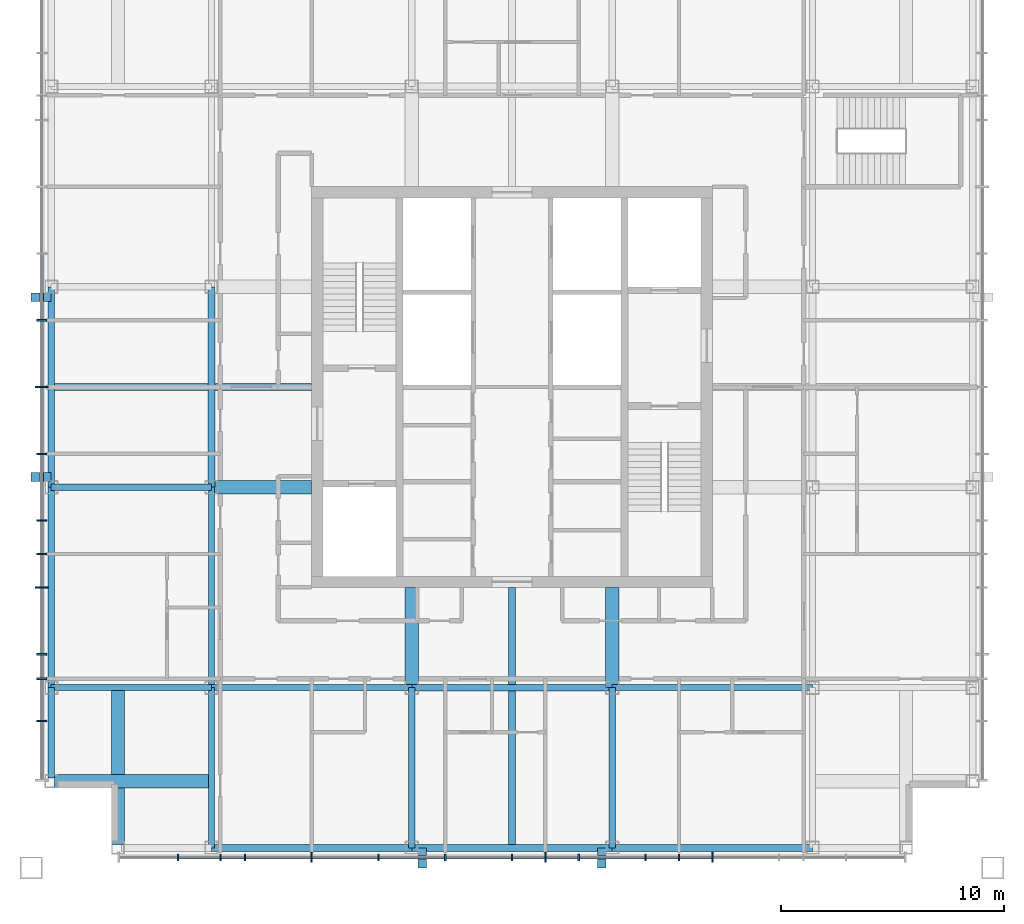
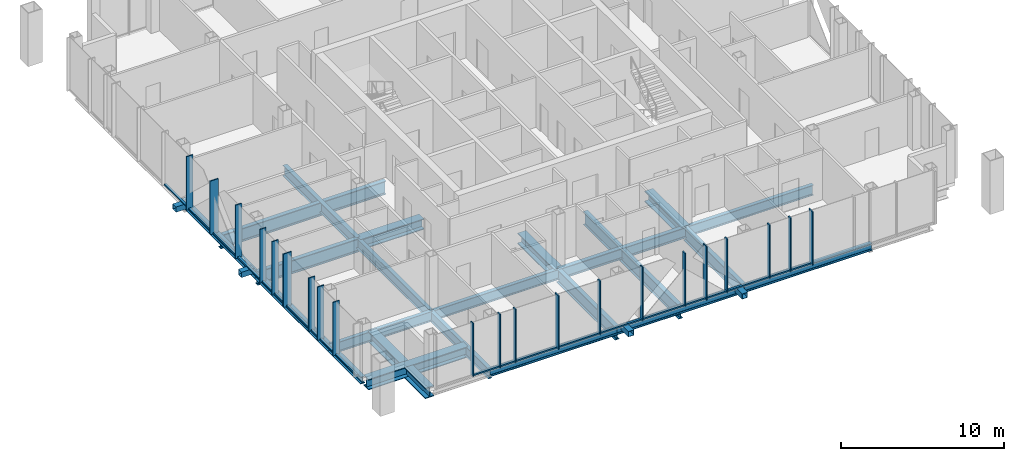
# One storey, part 2 of 12: 46 members, 23 beams, 2 elements without a shape of their own.
"""IFC4 building model written with IfcOpenShell, lengths in metres."""

import ifcopenshell
import ifcopenshell.guid

model = None  # the IFC model being written
_history = None  # IfcOwnerHistory: only IFC2X3 demands one
_inside = {}  # id of a spatial element -> (the spatial element, [elements in it])
_under = {}  # id of a project, library or spatial element -> (it, [spatial elements below it])
_declared = {}  # id of a project -> (the project, [libraries it declares])
_typed = {}  # id of a type object -> (the type object, [elements of that type])
_made_of = {}  # id of a material, layer set ... -> (it, [elements and type objects made of it])


def new_model(schema):
    """Start an empty IFC model of exactly this schema.

    Asked for "IFC4X3", IfcOpenShell would pick the latest addendum, in which some entities
    have other attributes; the version numbers below select the first issue.
    IFC2X3 requires an IfcOwnerHistory on every rooted entity: one is made here for all.
    """
    global model, _history
    if schema == "IFC4X3":
        model = ifcopenshell.file(schema_version=(4, 3, 0, 0))
    else:
        model = ifcopenshell.file(schema=schema)
    _inside.clear()
    _under.clear()
    _declared.clear()
    _typed.clear()
    _made_of.clear()
    _history = None
    if model.schema == "IFC2X3":
        org = make("IfcOrganization", Name="unknown")
        user = make(
            "IfcPersonAndOrganization",
            ThePerson=make("IfcPerson", FamilyName="unknown"),
            TheOrganization=org,
        )
        app = make(
            "IfcApplication",
            ApplicationDeveloper=org,
            Version="unknown",
            ApplicationFullName="unknown",
            ApplicationIdentifier="unknown",
        )
        _history = make(
            "IfcOwnerHistory",
            OwningUser=user,
            OwningApplication=app,
            ChangeAction="ADDED",
            CreationDate=0,
        )
    return model


def make(cls, **values):
    """One entity of the class cls with the attributes given. An attribute that is None is left unset."""
    return model.create_entity(
        cls, **{name: value for name, value in values.items() if value is not None}
    )


def rooted(cls, **values):
    """An entity with a GlobalId (a new one), such as an element, a storey or a relation."""
    return make(cls, GlobalId=ifcopenshell.guid.new(), OwnerHistory=_history, **values)


def si_unit(unit_type, name, prefix=None):
    """IfcSIUnit, for example si_unit("LENGTHUNIT", "METRE", prefix="MILLI")."""
    return make("IfcSIUnit", UnitType=unit_type, Prefix=prefix, Name=name)


def assignment(units):
    """IfcUnitAssignment: the units of a project."""
    return None if units is None else make("IfcUnitAssignment", Units=units)


def point(xyz):
    """IfcCartesianPoint."""
    return None if xyz is None else make("IfcCartesianPoint", Coordinates=xyz)


def direction(xyz):
    """IfcDirection."""
    return None if xyz is None else make("IfcDirection", DirectionRatios=xyz)


def frame(location, z_axis=None, x_axis=None):
    """IfcAxis2Placement3D, a coordinate frame: its origin and axes. An axis left out is left unset."""
    return make(
        "IfcAxis2Placement3D",
        Location=point(location),
        Axis=direction(z_axis),
        RefDirection=direction(x_axis),
    )


def frame_2d(location, x_axis=None):
    """IfcAxis2Placement2D, a coordinate frame in the plane: its origin and x axis."""
    return make(
        "IfcAxis2Placement2D", Location=point(location), RefDirection=direction(x_axis)
    )


def origin():
    """The frame at (0, 0, 0) with its axes left unset."""
    return frame((0.0, 0.0, 0.0))


def origin_2d():
    """The frame at (0, 0) in the plane with its x axis left unset."""
    return frame_2d((0.0, 0.0))


def place(relative_to, where):
    """IfcLocalPlacement: puts the frame where relative to a parent placement (None: the world)."""
    return make(
        "IfcLocalPlacement", PlacementRelTo=relative_to, RelativePlacement=where
    )


def context(
    kind, dimensions, precision=None, world=None, true_north=None, identifier=None
):
    """IfcGeometricRepresentationContext, for example the 3D "Model" context."""
    return make(
        "IfcGeometricRepresentationContext",
        ContextIdentifier=identifier,
        ContextType=kind,
        CoordinateSpaceDimension=dimensions,
        Precision=precision,
        WorldCoordinateSystem=world,
        TrueNorth=true_north,
    )


def subcontext(parent, identifier, kind, view, scale=None):
    """IfcGeometricRepresentationSubContext, for example "Body" below "Model"."""
    return make(
        "IfcGeometricRepresentationSubContext",
        ContextIdentifier=identifier,
        ContextType=kind,
        ParentContext=parent,
        TargetScale=scale,
        TargetView=view,
    )


def project(units=None, contexts=None):
    """IfcProject with its units and contexts."""
    return rooted(
        "IfcProject",
        Name="project",
        RepresentationContexts=contexts,
        UnitsInContext=assignment(units),
    )


def spatial(cls, under=None, at=None, **own):
    """A site, building, storey or space (cls), placed at a placement, below another one or the project."""
    s = rooted(cls, ObjectPlacement=at, **own)
    if under is not None:
        _under.setdefault(under.id(), (under, []))[1].append(s)
    return s


def profile(cls, at=None, kind="AREA", **sizes):
    """A parametric profile (cls). Its sizes go by their IFC names, for example OverallWidth=200.0."""
    return make(cls, ProfileType=kind, Position=at, **sizes)


def rectangle(**sizes):
    """IfcRectangleProfileDef."""
    return profile("IfcRectangleProfileDef", **sizes)


def hollow_rectangle(**sizes):
    """IfcRectangleHollowProfileDef."""
    return profile("IfcRectangleHollowProfileDef", **sizes)


def i_section(**sizes):
    """IfcIShapeProfileDef."""
    return profile("IfcIShapeProfileDef", **sizes)


def extrude(swept, where, along, depth):
    """IfcExtrudedAreaSolid: the profile swept, set in the frame where, extruded along a direction by depth."""
    return make(
        "IfcExtrudedAreaSolid",
        SweptArea=swept,
        Position=where,
        ExtrudedDirection=direction(along),
        Depth=depth,
    )


def shape(context_of_items, identifier, shape_type, items):
    """IfcShapeRepresentation: the items that make up one representation, for example the "Body"."""
    return make(
        "IfcShapeRepresentation",
        ContextOfItems=context_of_items,
        RepresentationIdentifier=identifier,
        RepresentationType=shape_type,
        Items=items,
    )


def material(Name=None, Category=None):
    """IfcMaterial."""
    return make("IfcMaterial", Name=Name, Category=Category)


def layer(
    of_material, thickness, ventilated=None, Name=None, Category=None, Priority=None
):
    """IfcMaterialLayer: one layer of a wall or slab, of a material (None: an air gap)."""
    return make(
        "IfcMaterialLayer",
        Material=of_material,
        LayerThickness=thickness,
        IsVentilated=ventilated,
        Name=Name,
        Category=Category,
        Priority=Priority,
    )


def layer_set(layers, Name=None):
    """IfcMaterialLayerSet."""
    return make("IfcMaterialLayerSet", MaterialLayers=layers, LayerSetName=Name)


def material_profile(
    of_material, cross_section, Name=None, Category=None, Priority=None
):
    """IfcMaterialProfile: a cross section and its material."""
    return make(
        "IfcMaterialProfile",
        Name=Name,
        Material=of_material,
        Profile=cross_section,
        Priority=Priority,
        Category=Category,
    )


def profile_set(profiles, Name=None, composite=None):
    """IfcMaterialProfileSet."""
    return make(
        "IfcMaterialProfileSet",
        Name=Name,
        MaterialProfiles=profiles,
        CompositeProfile=composite,
    )


def made_of(thing, what):
    """Note that an element or type object is made of a material, layer set ...; save() writes the relation."""
    if what is not None:
        _made_of.setdefault(what.id(), (what, []))[1].append(thing)
    return thing


def type_object(cls, material=None, **own):
    """A type object (cls), such as IfcWallType, which elements share."""
    return made_of(rooted(cls, **own), material)


def element(
    cls,
    number,
    at=None,
    inside=None,
    cuts=None,
    type_object=None,
    material=None,
    context=None,
    identifier="Body",
    shape_type=None,
    held_by="IfcProductDefinitionShape",
    body=None,
    shapes=None,
    **own,
):
    """One element of the class cls, such as IfcWall. Its Tag is "e" and its number.

    at: its placement. inside: the storey or other place that contains it. cuts: it is an
    opening in that element (IfcRelVoidsElement). A single representation is given by context,
    identifier, shape_type and body (its items); several are given by shapes. held_by: the class
    of the entity that holds the representations. save() writes the other relations.
    """
    e = rooted(cls, Tag="e%d" % number, ObjectPlacement=at, **own)
    if body is not None:
        shapes = [shape(context, identifier, shape_type, body)]
    if shapes is not None:
        e.Representation = make(held_by, Representations=shapes)
    if inside is not None:
        _inside.setdefault(inside.id(), (inside, []))[1].append(e)
    if cuts is not None:
        rooted(
            "IfcRelVoidsElement", RelatingBuildingElement=cuts, RelatedOpeningElement=e
        )
    if type_object is not None:
        _typed.setdefault(type_object.id(), (type_object, []))[1].append(e)
    return made_of(e, material)


def aggregate(whole, parts):
    """IfcRelAggregates: a whole, such as a stair, and the parts it consists of."""
    return rooted("IfcRelAggregates", RelatingObject=whole, RelatedObjects=parts)


def save(model, path):
    """Write the relations noted so far, then the file.

    IfcRelAggregates (storeys below a building ...), IfcRelContainedInSpatialStructure (elements
    in a storey), IfcRelDefinesByType, IfcRelAssociatesMaterial and IfcRelDeclares: one each for
    every whole, place, type object, material and project.
    """
    for whole, parts in _under.values():
        aggregate(whole, parts)
    for where, things in _inside.values():
        rooted(
            "IfcRelContainedInSpatialStructure",
            RelatedElements=things,
            RelatingStructure=where,
        )
    for kind, things in _typed.values():
        rooted("IfcRelDefinesByType", RelatedObjects=things, RelatingType=kind)
    for what, things in _made_of.values():
        rooted("IfcRelAssociatesMaterial", RelatedObjects=things, RelatingMaterial=what)
    for by, libraries in _declared.values():
        rooted("IfcRelDeclares", RelatingContext=by, RelatedDefinitions=libraries)
    model.write(path)


model = new_model("IFC4")

# Units and contexts
model_context = context("Model", 3, precision=1e-05, world=origin(), true_north=direction((0.0, 1.0)))
body_context = subcontext(model_context, "Body", "Model", "MODEL_VIEW")
ifc_project = project(units=[si_unit("LENGTHUNIT", "METRE"), si_unit("AREAUNIT", "SQUARE_METRE"), si_unit("VOLUMEUNIT", "CUBIC_METRE"), si_unit("PLANEANGLEUNIT", "RADIAN"), si_unit("MASSUNIT", "GRAM", prefix="KILO")], contexts=[model_context])

# Site, building, storey
site_placement = place(None, origin())
site = spatial("IfcSite", under=ifc_project, at=site_placement, CompositionType="ELEMENT")
building_placement = place(site_placement, origin())
building = spatial("IfcBuilding", under=site, at=building_placement, Name="Malebo Sky Hospital", CompositionType="ELEMENT")
storey_placement = place(building_placement, frame((0.0, 0.0, 266.0)))
storey = spatial("IfcBuildingStorey", under=building, at=storey_placement, Name="L64", CompositionType="ELEMENT", Elevation=266.0)

# Curtain wall, members
ifc_material_1 = material(Name="Anodised aluminium, natural silver", Category="aluminium")
ifc_layer_1 = layer(ifc_material_1, 0.25)
ifc_layer_set_1 = layer_set([ifc_layer_1], Name="WARD CURTAIN WALL EAST AND WEST")
curtain_wall_type_1 = type_object("IfcCurtainWallType", Name="WARD CURTAIN WALL EAST AND WEST", PredefinedType="NOTDEFINED", material=ifc_layer_set_1)
curtain_wall_1_placement = place(storey_placement, origin())
curtain_wall_1 = element("IfcCurtainWall", 1, at=curtain_wall_1_placement, inside=storey, type_object=curtain_wall_type_1, Name="EW curtain wall W", PredefinedType="NOTDEFINED")
ifc_material_profile_1 = material_profile(ifc_material_1, rectangle(XDim=0.14990234375, YDim=0.10009765625, at=origin_2d()), Name="ALUMINIUM TRANSOM 150x100")
ifc_profile_set_1 = profile_set([ifc_material_profile_1], Name="Anodised aluminium, natural silver")
member_type_1 = type_object("IfcMemberType", Name="ALUMINIUM TRANSOM 150x100", PredefinedType="USERDEFINED", material=ifc_profile_set_1)
member_1_placement = place(storey_placement, frame((38.875, 44.375, 0.050048828125), z_axis=(0.0, 1.0, 0.0), x_axis=(-1.0, 0.0, 0.0)))
member_1 = element("IfcMember", 2, at=member_1_placement, type_object=member_type_1, Name="Transom 1", ObjectType="TRANSOM", PredefinedType="USERDEFINED", context=body_context, shape_type="SweptSolid", body=[
    extrude(rectangle(XDim=0.14990234375, YDim=0.10009765625, at=origin_2d()), origin(), (0.0, 0.0, 1.0), 2.58740234375),
])
member_2_placement = place(storey_placement, frame((38.875, 47.03759765625, 0.050048828125), z_axis=(0.0, 1.0, 0.0), x_axis=(-1.0, 0.0, 0.0)))
member_2 = element("IfcMember", 3, at=member_2_placement, type_object=member_type_1, Name="Transom 2", ObjectType="TRANSOM", PredefinedType="USERDEFINED", context=body_context, shape_type="SweptSolid", body=[
    extrude(rectangle(XDim=0.14990234375, YDim=0.10009765625, at=origin_2d()), origin(), (0.0, 0.0, 1.0), 1.824951171875),
])
member_3_placement = place(storey_placement, frame((38.875, 48.9375, 0.050048828125), z_axis=(0.0, 1.0, 0.0), x_axis=(-1.0, 0.0, 0.0)))
member_3 = element("IfcMember", 4, at=member_3_placement, type_object=member_type_1, Name="Transom 3", ObjectType="TRANSOM", PredefinedType="USERDEFINED", context=body_context, shape_type="SweptSolid", body=[
    extrude(rectangle(XDim=0.14990234375, YDim=0.10009765625, at=origin_2d()), origin(), (0.0, 0.0, 1.0), 1.02490234375),
])
member_4_placement = place(storey_placement, frame((38.875, 50.03759765625, 0.050048828125), z_axis=(0.0, 1.0, 0.0), x_axis=(-1.0, 0.0, 0.0)))
member_4 = element("IfcMember", 5, at=member_4_placement, type_object=member_type_1, Name="Transom 4", ObjectType="TRANSOM", PredefinedType="USERDEFINED", context=body_context, shape_type="SweptSolid", body=[
    extrude(rectangle(XDim=0.14990234375, YDim=0.10009765625, at=origin_2d()), origin(), (0.0, 0.0, 1.0), 2.9248046875),
])
member_5_placement = place(storey_placement, frame((38.875, 53.03759765625, 0.050048828125), z_axis=(0.0, 1.0, 0.0), x_axis=(-1.0, 0.0, 0.0)))
member_5 = element("IfcMember", 6, at=member_5_placement, type_object=member_type_1, Name="Transom 5", ObjectType="TRANSOM", PredefinedType="USERDEFINED", context=body_context, shape_type="SweptSolid", body=[
    extrude(rectangle(XDim=0.14990234375, YDim=0.10009765625, at=origin_2d()), origin(), (0.0, 0.0, 1.0), 1.4248046875),
])
member_6_placement = place(storey_placement, frame((38.875, 54.53759765625, 0.050048828125), z_axis=(0.0, 1.0, 0.0), x_axis=(-1.0, 0.0, 0.0)))
member_6 = element("IfcMember", 7, at=member_6_placement, type_object=member_type_1, Name="Transom 6", ObjectType="TRANSOM", PredefinedType="USERDEFINED", context=body_context, shape_type="SweptSolid", body=[
    extrude(rectangle(XDim=0.14990234375, YDim=0.10009765625, at=origin_2d()), origin(), (0.0, 0.0, 1.0), 1.4248046875),
])
member_7_placement = place(storey_placement, frame((38.875, 56.03759765625, 0.050048828125), z_axis=(0.0, 1.0, 0.0), x_axis=(-1.0, 0.0, 0.0)))
member_7 = element("IfcMember", 8, at=member_7_placement, type_object=member_type_1, Name="Transom 7", ObjectType="TRANSOM", PredefinedType="USERDEFINED", context=body_context, shape_type="SweptSolid", body=[
    extrude(rectangle(XDim=0.14990234375, YDim=0.10009765625, at=origin_2d()), origin(), (0.0, 0.0, 1.0), 2.9248046875),
])
member_8_placement = place(storey_placement, frame((38.875, 59.03759765625, 0.050048828125), z_axis=(0.0, 1.0, 0.0), x_axis=(-1.0, 0.0, 0.0)))
member_8 = element("IfcMember", 9, at=member_8_placement, type_object=member_type_1, Name="Transom 8", ObjectType="TRANSOM", PredefinedType="USERDEFINED", context=body_context, shape_type="SweptSolid", body=[
    extrude(rectangle(XDim=0.14990234375, YDim=0.10009765625, at=origin_2d()), origin(), (0.0, 0.0, 1.0), 2.9248046875),
])
member_9_placement = place(storey_placement, frame((38.875, 62.03759765625, 0.050048828125), z_axis=(0.0, 1.0, 0.0), x_axis=(-1.0, 0.0, 0.0)))
member_9 = element("IfcMember", 10, at=member_9_placement, type_object=member_type_1, Name="Transom 9", ObjectType="TRANSOM", PredefinedType="USERDEFINED", context=body_context, shape_type="SweptSolid", body=[
    extrude(rectangle(XDim=0.14990234375, YDim=0.10009765625, at=origin_2d()), origin(), (0.0, 0.0, 1.0), 2.9248046875),
])
member_10_placement = place(storey_placement, frame((38.875, 65.03759765625, 0.050048828125), z_axis=(0.0, 1.0, 0.0), x_axis=(-1.0, 0.0, 0.0)))
member_10 = element("IfcMember", 11, at=member_10_placement, type_object=member_type_1, Name="Transom 10", ObjectType="TRANSOM", PredefinedType="USERDEFINED", context=body_context, shape_type="SweptSolid", body=[
    extrude(rectangle(XDim=0.14990234375, YDim=0.10009765625, at=origin_2d()), origin(), (0.0, 0.0, 1.0), 2.9248046875),
])

ifc_layer_2 = layer(ifc_material_1, 0.25)
ifc_layer_set_2 = layer_set([ifc_layer_2], Name="WARD CURTAIN WALL NORTH AND SOUTH")
curtain_wall_type_2 = type_object("IfcCurtainWallType", Name="WARD CURTAIN WALL NORTH AND SOUTH", PredefinedType="NOTDEFINED", material=ifc_layer_set_2)
curtain_wall_2_placement = place(storey_placement, origin())
curtain_wall_2 = element("IfcCurtainWall", 12, at=curtain_wall_2_placement, inside=storey, type_object=curtain_wall_type_2, Name="NS curtain wall S", PredefinedType="NOTDEFINED")
member_11_placement = place(storey_placement, frame((68.96240234375, 40.875, 0.050048828125), z_axis=(-1.0, 0.0, 0.0), x_axis=(0.0, -1.0, 0.0)))
member_11 = element("IfcMember", 13, at=member_11_placement, type_object=member_type_1, Name="Transom 5", ObjectType="TRANSOM", PredefinedType="USERDEFINED", context=body_context, shape_type="SweptSolid", body=[
    extrude(rectangle(XDim=0.14990234375, YDim=0.10009765625, at=origin_2d()), origin(), (0.0, 0.0, 1.0), 1.4248046875),
])
member_12_placement = place(storey_placement, frame((67.46240234375, 40.875, 0.050048828125), z_axis=(-1.0, 0.0, 0.0), x_axis=(0.0, -1.0, 0.0)))
member_12 = element("IfcMember", 14, at=member_12_placement, type_object=member_type_1, Name="Transom 6", ObjectType="TRANSOM", PredefinedType="USERDEFINED", context=body_context, shape_type="SweptSolid", body=[
    extrude(rectangle(XDim=0.14990234375, YDim=0.10009765625, at=origin_2d()), origin(), (0.0, 0.0, 1.0), 1.4248046875),
])
member_13_placement = place(storey_placement, frame((65.96240234375, 40.875, 0.050048828125), z_axis=(-1.0, 0.0, 0.0), x_axis=(0.0, -1.0, 0.0)))
member_13 = element("IfcMember", 15, at=member_13_placement, type_object=member_type_1, Name="Transom 7", ObjectType="TRANSOM", PredefinedType="USERDEFINED", context=body_context, shape_type="SweptSolid", body=[
    extrude(rectangle(XDim=0.14990234375, YDim=0.10009765625, at=origin_2d()), origin(), (0.0, 0.0, 1.0), 2.9248046875),
])
member_14_placement = place(storey_placement, frame((62.96240234375, 40.875, 0.050048828125), z_axis=(-1.0, 0.0, 0.0), x_axis=(0.0, -1.0, 0.0)))
member_14 = element("IfcMember", 16, at=member_14_placement, type_object=member_type_1, Name="Transom 8", ObjectType="TRANSOM", PredefinedType="USERDEFINED", context=body_context, shape_type="SweptSolid", body=[
    extrude(rectangle(XDim=0.14990234375, YDim=0.10009765625, at=origin_2d()), origin(), (0.0, 0.0, 1.0), 1.4248046875),
])
member_15_placement = place(storey_placement, frame((61.46240234375, 40.875, 0.050048828125), z_axis=(-1.0, 0.0, 0.0), x_axis=(0.0, -1.0, 0.0)))
member_15 = element("IfcMember", 17, at=member_15_placement, type_object=member_type_1, Name="Transom 9", ObjectType="TRANSOM", PredefinedType="USERDEFINED", context=body_context, shape_type="SweptSolid", body=[
    extrude(rectangle(XDim=0.14990234375, YDim=0.10009765625, at=origin_2d()), origin(), (0.0, 0.0, 1.0), 1.4248046875),
])
member_16_placement = place(storey_placement, frame((59.96240234375, 40.875, 0.050048828125), z_axis=(-1.0, 0.0, 0.0), x_axis=(0.0, -1.0, 0.0)))
member_16 = element("IfcMember", 18, at=member_16_placement, type_object=member_type_1, Name="Transom 10", ObjectType="TRANSOM", PredefinedType="USERDEFINED", context=body_context, shape_type="SweptSolid", body=[
    extrude(rectangle(XDim=0.14990234375, YDim=0.10009765625, at=origin_2d()), origin(), (0.0, 0.0, 1.0), 2.9248046875),
])
member_17_placement = place(storey_placement, frame((56.96240234375, 40.875, 0.050048828125), z_axis=(-1.0, 0.0, 0.0), x_axis=(0.0, -1.0, 0.0)))
member_17 = element("IfcMember", 19, at=member_17_placement, type_object=member_type_1, Name="Transom 11", ObjectType="TRANSOM", PredefinedType="USERDEFINED", context=body_context, shape_type="SweptSolid", body=[
    extrude(rectangle(XDim=0.14990234375, YDim=0.10009765625, at=origin_2d()), origin(), (0.0, 0.0, 1.0), 2.9248046875),
])
member_18_placement = place(storey_placement, frame((53.96240234375, 40.875, 0.050048828125), z_axis=(-1.0, 0.0, 0.0), x_axis=(0.0, -1.0, 0.0)))
member_18 = element("IfcMember", 20, at=member_18_placement, type_object=member_type_1, Name="Transom 12", ObjectType="TRANSOM", PredefinedType="USERDEFINED", context=body_context, shape_type="SweptSolid", body=[
    extrude(rectangle(XDim=0.14990234375, YDim=0.10009765625, at=origin_2d()), origin(), (0.0, 0.0, 1.0), 2.9248046875),
])
member_19_placement = place(storey_placement, frame((50.96240234375, 40.875, 0.050048828125), z_axis=(-1.0, 0.0, 0.0), x_axis=(0.0, -1.0, 0.0)))
member_19 = element("IfcMember", 21, at=member_19_placement, type_object=member_type_1, Name="Transom 13", ObjectType="TRANSOM", PredefinedType="USERDEFINED", context=body_context, shape_type="SweptSolid", body=[
    extrude(rectangle(XDim=0.14990234375, YDim=0.10009765625, at=origin_2d()), origin(), (0.0, 0.0, 1.0), 2.9248046875),
])
member_20_placement = place(storey_placement, frame((47.96240234375, 40.875, 0.050048828125), z_axis=(-1.0, 0.0, 0.0), x_axis=(0.0, -1.0, 0.0)))
member_20 = element("IfcMember", 22, at=member_20_placement, type_object=member_type_1, Name="Transom 14", ObjectType="TRANSOM", PredefinedType="USERDEFINED", context=body_context, shape_type="SweptSolid", body=[
    extrude(rectangle(XDim=0.14990234375, YDim=0.10009765625, at=origin_2d()), origin(), (0.0, 0.0, 1.0), 1.02490234375),
])
member_21_placement = place(storey_placement, frame((46.862548828125, 40.875, 0.050048828125), z_axis=(-1.0, 0.0, 0.0), x_axis=(0.0, -1.0, 0.0)))
member_21 = element("IfcMember", 23, at=member_21_placement, type_object=member_type_1, Name="Transom 15", ObjectType="TRANSOM", PredefinedType="USERDEFINED", context=body_context, shape_type="SweptSolid", body=[
    extrude(rectangle(XDim=0.14990234375, YDim=0.10009765625, at=origin_2d()), origin(), (0.0, 0.0, 1.0), 1.824951171875),
])

# Members
ifc_material_2 = material(Name="Steel S355", Category="steel")
ifc_material_profile_2 = material_profile(ifc_material_2, hollow_rectangle(XDim=0.39990234375, YDim=0.39990234375, WallThickness=0.02001953125, at=origin_2d()), Name="SHS 400x20")
ifc_profile_set_2 = profile_set([ifc_material_profile_2], Name="Steel S355")
member_type_2 = type_object("IfcMemberType", Name="BRACE STRUT SHS 400x20", PredefinedType="STRUT", material=ifc_profile_set_2)
for number, where, z_axis, x_axis, name in (
    (24, (55.96826171875, 40.39990234375, -0.39990234375), (0.0, 1.0, 0.0), (-1.0, 0.0, 0.0), "Brace strut DS1 L64"),
    (25, (64.03173828125, 40.39990234375, -0.39990234375), (0.0, 1.0, 0.0), (-1.0, 0.0, 0.0), "Brace strut DS2 L64"),
    (26, (38.39990234375, 66.03173828125, -0.39990234375), (1.0, 0.0, 0.0), (0.0, 1.0, 0.0), "Brace strut DW1 L64"),
    (27, (38.39990234375, 57.96826171875, -0.39990234375), (1.0, 0.0, 0.0), (0.0, 1.0, 0.0), "Brace strut DW2 L64"),
):
    element("IfcMember", number, at=place(storey_placement, frame(where, z_axis=z_axis, x_axis=x_axis)), inside=storey, type_object=member_type_2, Name=name, PredefinedType="STRUT", context=body_context, shape_type="SweptSolid", body=[
        extrude(hollow_rectangle(XDim=0.39990234375, YDim=0.39990234375, WallThickness=0.02001953125, at=origin_2d()), origin(), (0.0, 0.0, 1.0), 0.900146484375),
    ])

# Member
ifc_material_profile_3 = material_profile(ifc_material_1, rectangle(XDim=0.074951171875, YDim=0.300048828125, at=origin_2d()), Name="CW1 ALUMINIUM FIN MULLION 75x300")
ifc_profile_set_3 = profile_set([ifc_material_profile_3], Name="Anodised aluminium, natural silver")
member_type_3 = type_object("IfcMemberType", Name="CW1 ALUMINIUM FIN MULLION 75x300", PredefinedType="MULLION", material=ifc_profile_set_3)
member_22_placement = place(storey_placement, frame((67.5, 40.875, 0.0), z_axis=(0.0, 0.0, 1.0), x_axis=(-1.0, 0.0, 0.0)))
member_22 = element("IfcMember", 28, at=member_22_placement, type_object=member_type_3, Name="Fin mullion 6", PredefinedType="MULLION", context=body_context, shape_type="SweptSolid", body=[
    extrude(rectangle(XDim=0.074951171875, YDim=0.300048828125, at=origin_2d()), origin(), (0.0, 0.0, 1.0), 4.0),
])

member_23_placement = place(storey_placement, frame((66.0, 40.875, 0.0), z_axis=(0.0, 0.0, 1.0), x_axis=(-1.0, 0.0, 0.0)))
member_23 = element("IfcMember", 29, at=member_23_placement, type_object=member_type_3, Name="Fin mullion 7", PredefinedType="MULLION", context=body_context, shape_type="SweptSolid", body=[
    extrude(rectangle(XDim=0.074951171875, YDim=0.300048828125, at=origin_2d()), origin(), (0.0, 0.0, 1.0), 4.0),
])

member_24_placement = place(storey_placement, frame((63.0, 40.875, 0.0), z_axis=(0.0, 0.0, 1.0), x_axis=(-1.0, 0.0, 0.0)))
member_24 = element("IfcMember", 30, at=member_24_placement, type_object=member_type_3, Name="Fin mullion 8", PredefinedType="MULLION", context=body_context, shape_type="SweptSolid", body=[
    extrude(rectangle(XDim=0.074951171875, YDim=0.300048828125, at=origin_2d()), origin(), (0.0, 0.0, 1.0), 4.0),
])

member_25_placement = place(storey_placement, frame((60.0, 40.875, 0.0), z_axis=(0.0, 0.0, 1.0), x_axis=(-1.0, 0.0, 0.0)))
member_25 = element("IfcMember", 31, at=member_25_placement, type_object=member_type_3, Name="Fin mullion 10", PredefinedType="MULLION", context=body_context, shape_type="SweptSolid", body=[
    extrude(rectangle(XDim=0.074951171875, YDim=0.300048828125, at=origin_2d()), origin(), (0.0, 0.0, 1.0), 4.0),
])

member_26_placement = place(storey_placement, frame((57.0, 40.875, 0.0), z_axis=(0.0, 0.0, 1.0), x_axis=(-1.0, 0.0, 0.0)))
member_26 = element("IfcMember", 32, at=member_26_placement, type_object=member_type_3, Name="Fin mullion 11", PredefinedType="MULLION", context=body_context, shape_type="SweptSolid", body=[
    extrude(rectangle(XDim=0.074951171875, YDim=0.300048828125, at=origin_2d()), origin(), (0.0, 0.0, 1.0), 4.0),
])

member_27_placement = place(storey_placement, frame((54.0, 40.875, 0.0), z_axis=(0.0, 0.0, 1.0), x_axis=(-1.0, 0.0, 0.0)))
member_27 = element("IfcMember", 33, at=member_27_placement, type_object=member_type_3, Name="Fin mullion 12", PredefinedType="MULLION", context=body_context, shape_type="SweptSolid", body=[
    extrude(rectangle(XDim=0.074951171875, YDim=0.300048828125, at=origin_2d()), origin(), (0.0, 0.0, 1.0), 4.0),
])

member_28_placement = place(storey_placement, frame((48.0, 40.875, 0.0), z_axis=(0.0, 0.0, 1.0), x_axis=(-1.0, 0.0, 0.0)))
member_28 = element("IfcMember", 34, at=member_28_placement, type_object=member_type_3, Name="Fin mullion 14", PredefinedType="MULLION", context=body_context, shape_type="SweptSolid", body=[
    extrude(rectangle(XDim=0.074951171875, YDim=0.300048828125, at=origin_2d()), origin(), (0.0, 0.0, 1.0), 4.0),
])

member_29_placement = place(storey_placement, frame((46.89990234375, 40.875, 0.0), z_axis=(0.0, 0.0, 1.0), x_axis=(-1.0, 0.0, 0.0)))
member_29 = element("IfcMember", 35, at=member_29_placement, type_object=member_type_3, Name="Fin mullion 15", PredefinedType="MULLION", context=body_context, shape_type="SweptSolid", body=[
    extrude(rectangle(XDim=0.074951171875, YDim=0.300048828125, at=origin_2d()), origin(), (0.0, 0.0, 1.0), 4.0),
])

member_30_placement = place(storey_placement, frame((45.0, 40.875, 0.0), z_axis=(0.0, 0.0, 1.0), x_axis=(-1.0, 0.0, 0.0)))
member_30 = element("IfcMember", 36, at=member_30_placement, type_object=member_type_3, Name="Fin mullion 16", PredefinedType="MULLION", context=body_context, shape_type="SweptSolid", body=[
    extrude(rectangle(XDim=0.074951171875, YDim=0.300048828125, at=origin_2d()), origin(), (0.0, 0.0, 1.0), 4.0),
])

ifc_material_profile_4 = material_profile(ifc_material_1, rectangle(XDim=0.074951171875, YDim=0.449951171875, at=origin_2d()), Name="CW1 ALUMINIUM FIN MULLION 75x450")
ifc_profile_set_4 = profile_set([ifc_material_profile_4], Name="Anodised aluminium, natural silver")
member_type_4 = type_object("IfcMemberType", Name="CW1 ALUMINIUM FIN MULLION 75x450", PredefinedType="MULLION", material=ifc_profile_set_4)
member_31_placement = place(storey_placement, frame((69.0, 40.875, 0.0), z_axis=(0.0, 0.0, 1.0), x_axis=(-1.0, 0.0, 0.0)))
member_31 = element("IfcMember", 37, at=member_31_placement, type_object=member_type_4, Name="Fin mullion 5", PredefinedType="MULLION", context=body_context, shape_type="SweptSolid", body=[
    extrude(rectangle(XDim=0.074951171875, YDim=0.449951171875, at=origin_2d()), origin(), (0.0, 0.0, 1.0), 4.0),
])

member_32_placement = place(storey_placement, frame((61.5, 40.875, 0.0), z_axis=(0.0, 0.0, 1.0), x_axis=(-1.0, 0.0, 0.0)))
member_32 = element("IfcMember", 38, at=member_32_placement, type_object=member_type_4, Name="Fin mullion 9", PredefinedType="MULLION", context=body_context, shape_type="SweptSolid", body=[
    extrude(rectangle(XDim=0.074951171875, YDim=0.449951171875, at=origin_2d()), origin(), (0.0, 0.0, 1.0), 4.0),
])

member_33_placement = place(storey_placement, frame((51.0, 40.875, 0.0), z_axis=(0.0, 0.0, 1.0), x_axis=(-1.0, 0.0, 0.0)))
member_33 = element("IfcMember", 39, at=member_33_placement, type_object=member_type_4, Name="Fin mullion 13", PredefinedType="MULLION", context=body_context, shape_type="SweptSolid", body=[
    extrude(rectangle(XDim=0.074951171875, YDim=0.449951171875, at=origin_2d()), origin(), (0.0, 0.0, 1.0), 4.0),
])

aggregate(curtain_wall_2, [member_31, member_22, member_23, member_24, member_32, member_25, member_26, member_27, member_33, member_28, member_29, member_30, member_11, member_12, member_13, member_14, member_15, member_16, member_17, member_18, member_19, member_20, member_21])

ifc_material_profile_5 = material_profile(ifc_material_1, rectangle(XDim=0.074951171875, YDim=0.449951171875, at=origin_2d()), Name="CW2 ALUMINIUM FIN MULLION 75x450")
ifc_profile_set_5 = profile_set([ifc_material_profile_5], Name="Anodised aluminium, natural silver")
member_type_5 = type_object("IfcMemberType", Name="CW2 ALUMINIUM FIN MULLION 75x450", PredefinedType="MULLION", material=ifc_profile_set_5)
member_34_placement = place(storey_placement, frame((38.875, 47.0, 0.0), z_axis=(0.0, 0.0, 1.0), x_axis=(0.0, 1.0, 0.0)))
member_34 = element("IfcMember", 40, at=member_34_placement, type_object=member_type_5, Name="Fin mullion 2", PredefinedType="MULLION", context=body_context, shape_type="SweptSolid", body=[
    extrude(rectangle(XDim=0.074951171875, YDim=0.449951171875, at=origin_2d()), origin(), (0.0, 0.0, 1.0), 4.0),
])

member_35_placement = place(storey_placement, frame((38.875, 48.89990234375, 0.0), z_axis=(0.0, 0.0, 1.0), x_axis=(0.0, 1.0, 0.0)))
member_35 = element("IfcMember", 41, at=member_35_placement, type_object=member_type_5, Name="Fin mullion 3", PredefinedType="MULLION", context=body_context, shape_type="SweptSolid", body=[
    extrude(rectangle(XDim=0.074951171875, YDim=0.449951171875, at=origin_2d()), origin(), (0.0, 0.0, 1.0), 4.0),
])

member_36_placement = place(storey_placement, frame((38.875, 50.0, 0.0), z_axis=(0.0, 0.0, 1.0), x_axis=(0.0, 1.0, 0.0)))
member_36 = element("IfcMember", 42, at=member_36_placement, type_object=member_type_5, Name="Fin mullion 4", PredefinedType="MULLION", context=body_context, shape_type="SweptSolid", body=[
    extrude(rectangle(XDim=0.074951171875, YDim=0.449951171875, at=origin_2d()), origin(), (0.0, 0.0, 1.0), 4.0),
])

member_37_placement = place(storey_placement, frame((38.875, 54.5, 0.0), z_axis=(0.0, 0.0, 1.0), x_axis=(0.0, 1.0, 0.0)))
member_37 = element("IfcMember", 43, at=member_37_placement, type_object=member_type_5, Name="Fin mullion 6", PredefinedType="MULLION", context=body_context, shape_type="SweptSolid", body=[
    extrude(rectangle(XDim=0.074951171875, YDim=0.449951171875, at=origin_2d()), origin(), (0.0, 0.0, 1.0), 4.0),
])

member_38_placement = place(storey_placement, frame((38.875, 56.0, 0.0), z_axis=(0.0, 0.0, 1.0), x_axis=(0.0, 1.0, 0.0)))
member_38 = element("IfcMember", 44, at=member_38_placement, type_object=member_type_5, Name="Fin mullion 7", PredefinedType="MULLION", context=body_context, shape_type="SweptSolid", body=[
    extrude(rectangle(XDim=0.074951171875, YDim=0.449951171875, at=origin_2d()), origin(), (0.0, 0.0, 1.0), 4.0),
])

member_39_placement = place(storey_placement, frame((38.875, 59.0, 0.0), z_axis=(0.0, 0.0, 1.0), x_axis=(0.0, 1.0, 0.0)))
member_39 = element("IfcMember", 45, at=member_39_placement, type_object=member_type_5, Name="Fin mullion 8", PredefinedType="MULLION", context=body_context, shape_type="SweptSolid", body=[
    extrude(rectangle(XDim=0.074951171875, YDim=0.449951171875, at=origin_2d()), origin(), (0.0, 0.0, 1.0), 4.0),
])

member_40_placement = place(storey_placement, frame((38.875, 65.0, 0.0), z_axis=(0.0, 0.0, 1.0), x_axis=(0.0, 1.0, 0.0)))
member_40 = element("IfcMember", 46, at=member_40_placement, type_object=member_type_5, Name="Fin mullion 10", PredefinedType="MULLION", context=body_context, shape_type="SweptSolid", body=[
    extrude(rectangle(XDim=0.074951171875, YDim=0.449951171875, at=origin_2d()), origin(), (0.0, 0.0, 1.0), 4.0),
])

ifc_material_profile_6 = material_profile(ifc_material_1, rectangle(XDim=0.074951171875, YDim=0.60009765625, at=origin_2d()), Name="CW2 ALUMINIUM FIN MULLION 75x600")
ifc_profile_set_6 = profile_set([ifc_material_profile_6], Name="Anodised aluminium, natural silver")
member_type_6 = type_object("IfcMemberType", Name="CW2 ALUMINIUM FIN MULLION 75x600", PredefinedType="MULLION", material=ifc_profile_set_6)
member_41_placement = place(storey_placement, frame((38.875, 53.0, 0.0), z_axis=(0.0, 0.0, 1.0), x_axis=(0.0, 1.0, 0.0)))
member_41 = element("IfcMember", 47, at=member_41_placement, type_object=member_type_6, Name="Fin mullion 5", PredefinedType="MULLION", context=body_context, shape_type="SweptSolid", body=[
    extrude(rectangle(XDim=0.074951171875, YDim=0.60009765625, at=origin_2d()), origin(), (0.0, 0.0, 1.0), 4.0),
])

member_42_placement = place(storey_placement, frame((38.875, 62.0, 0.0), z_axis=(0.0, 0.0, 1.0), x_axis=(0.0, 1.0, 0.0)))
member_42 = element("IfcMember", 48, at=member_42_placement, type_object=member_type_6, Name="Fin mullion 9", PredefinedType="MULLION", context=body_context, shape_type="SweptSolid", body=[
    extrude(rectangle(XDim=0.074951171875, YDim=0.60009765625, at=origin_2d()), origin(), (0.0, 0.0, 1.0), 4.0),
])

aggregate(curtain_wall_1, [member_34, member_35, member_36, member_41, member_37, member_38, member_39, member_42, member_40, member_1, member_2, member_3, member_4, member_5, member_6, member_7, member_8, member_9, member_10])

# Beams
ifc_material_profile_7 = material_profile(ifc_material_2, i_section(OverallWidth=0.305908203125, OverallDepth=0.52392578125, WebThickness=0.02099609375, FlangeThickness=0.0400390625, FilletRadius=0.027099609375, at=origin_2d()), Name="HEM 500")
ifc_profile_set_7 = profile_set([ifc_material_profile_7], Name="Steel S355")
beam_type_1 = type_object("IfcBeamType", Name="EDGE BEAM HEM 500", PredefinedType="BEAM", material=ifc_profile_set_7)
beam_1_placement = place(storey_placement, frame((39.300048828125, 44.449951171875, -0.511962890625), z_axis=(0.0, 1.0, 0.0), x_axis=(-1.0, 0.0, 0.0)))
element("IfcBeam", 49, at=beam_1_placement, inside=storey, type_object=beam_type_1, Name="Beam 000 L64", PredefinedType="BEAM", context=body_context, shape_type="SweptSolid", body=[
    extrude(i_section(OverallWidth=0.305908203125, OverallDepth=0.52392578125, WebThickness=0.02099609375, FlangeThickness=0.0400390625, FilletRadius=0.027099609375, at=origin_2d()), origin(), (0.0, 0.0, 1.0), 4.050048828125),
])
for number, where, z_axis, x_axis, name in (
    (50, (39.300048828125, 48.5, -0.511962890625), (0.0, 1.0, 0.0), (-1.0, 0.0, 0.0), "Beam 001 L64"),
    (51, (39.300048828125, 57.5, -0.511962890625), (0.0, 1.0, 0.0), (-1.0, 0.0, 0.0), "Beam 002 L64"),
    (52, (46.5, 41.300048828125, -0.511962890625), (1.0, 0.0, 0.0), (0.0, 1.0, 0.0), "Beam 035 L64"),
    (53, (55.5, 41.300048828125, -0.511962890625), (1.0, 0.0, 0.0), (0.0, 1.0, 0.0), "Beam 036 L64"),
    (54, (64.5, 41.300048828125, -0.511962890625), (1.0, 0.0, 0.0), (0.0, 1.0, 0.0), "Beam 037 L64"),
):
    element("IfcBeam", number, at=place(storey_placement, frame(where, z_axis=z_axis, x_axis=x_axis)), inside=storey, type_object=beam_type_1, Name=name, PredefinedType="BEAM", context=body_context, shape_type="SweptSolid", body=[
        extrude(i_section(OverallWidth=0.305908203125, OverallDepth=0.52392578125, WebThickness=0.02099609375, FlangeThickness=0.0400390625, FilletRadius=0.027099609375, at=origin_2d()), origin(), (0.0, 0.0, 1.0), 9.0),
    ])
ifc_material_profile_8 = material_profile(ifc_material_2, i_section(OverallWidth=0.300048828125, OverallDepth=1.0, WebThickness=0.01904296875, FlangeThickness=0.035888671875, FilletRadius=0.030029296875, at=origin_2d()), Name="HEB 1000")
ifc_profile_set_8 = profile_set([ifc_material_profile_8], Name="Steel S355")
beam_type_2 = type_object("IfcBeamType", Name="FLOOR BEAM HEB 1000", PredefinedType="BEAM", material=ifc_profile_set_8)
beam_2_placement = place(storey_placement, frame((55.5, 41.300048828125, -0.75), z_axis=(0.0, 1.0, 0.0), x_axis=(-1.0, 0.0, 0.0)))
element("IfcBeam", 55, at=beam_2_placement, inside=storey, type_object=beam_type_2, Name="Beam 012 L64", PredefinedType="BEAM", context=body_context, shape_type="SweptSolid", body=[
    extrude(i_section(OverallWidth=0.300048828125, OverallDepth=1.0, WebThickness=0.01904296875, FlangeThickness=0.035888671875, FilletRadius=0.030029296875, at=origin_2d()), origin(), (0.0, 0.0, 1.0), 7.199951171875),
])
beam_3_placement = place(storey_placement, frame((60.0, 41.300048828125, -0.75), z_axis=(0.0, 1.0, 0.0), x_axis=(-1.0, 0.0, 0.0)))
element("IfcBeam", 56, at=beam_3_placement, inside=storey, type_object=beam_type_2, Name="Beam 016 L64", PredefinedType="BEAM", context=body_context, shape_type="SweptSolid", body=[
    extrude(i_section(OverallWidth=0.300048828125, OverallDepth=1.0, WebThickness=0.01904296875, FlangeThickness=0.035888671875, FilletRadius=0.030029296875, at=origin_2d()), origin(), (0.0, 0.0, 1.0), 11.699951171875),
])
for number, where, z_axis, x_axis, name in (
    (57, (64.5, 41.300048828125, -0.75), (0.0, 1.0, 0.0), (-1.0, 0.0, 0.0), "Beam 018 L64"),
    (58, (39.300048828125, 57.5, -0.75), (1.0, 0.0, 0.0), (0.0, 1.0, 0.0), "Beam 046 L64"),
):
    element("IfcBeam", number, at=place(storey_placement, frame(where, z_axis=z_axis, x_axis=x_axis)), inside=storey, type_object=beam_type_2, Name=name, PredefinedType="BEAM", context=body_context, shape_type="SweptSolid", body=[
        extrude(i_section(OverallWidth=0.300048828125, OverallDepth=1.0, WebThickness=0.01904296875, FlangeThickness=0.035888671875, FilletRadius=0.030029296875, at=origin_2d()), origin(), (0.0, 0.0, 1.0), 7.199951171875),
    ])
beam_4_placement = place(storey_placement, frame((39.300048828125, 62.0, -0.75), z_axis=(1.0, 0.0, 0.0), x_axis=(0.0, 1.0, 0.0)))
element("IfcBeam", 59, at=beam_4_placement, inside=storey, type_object=beam_type_2, Name="Beam 050 L64", PredefinedType="BEAM", context=body_context, shape_type="SweptSolid", body=[
    extrude(i_section(OverallWidth=0.300048828125, OverallDepth=1.0, WebThickness=0.01904296875, FlangeThickness=0.035888671875, FilletRadius=0.030029296875, at=origin_2d()), origin(), (0.0, 0.0, 1.0), 11.699951171875),
])
ifc_material_profile_9 = material_profile(ifc_material_2, i_section(OverallWidth=0.26708984375, OverallDepth=0.761962890625, WebThickness=0.014404296875, FlangeThickness=0.021484375, FilletRadius=0.01708984375, at=origin_2d()), Name="IPE 750x173")
ifc_profile_set_9 = profile_set([ifc_material_profile_9], Name="Steel S355")
beam_type_3 = type_object("IfcBeamType", Name="FLOOR BEAM IPE 750x173", PredefinedType="BEAM", material=ifc_profile_set_9)
for number, where, z_axis, x_axis, name in (
    (60, (46.5, 48.5, -0.631103515625), (0.0, 1.0, 0.0), (-1.0, 0.0, 0.0), "Beam 008 L64"),
    (61, (46.5, 48.5, -0.631103515625), (1.0, 0.0, 0.0), (0.0, 1.0, 0.0), "Beam 042 L64"),
    (62, (64.5, 48.5, -0.631103515625), (1.0, 0.0, 0.0), (0.0, 1.0, 0.0), "Beam 044 L64"),
):
    element("IfcBeam", number, at=place(storey_placement, frame(where, z_axis=z_axis, x_axis=x_axis)), inside=storey, type_object=beam_type_3, Name=name, PredefinedType="BEAM", context=body_context, shape_type="SweptSolid", body=[
        extrude(i_section(OverallWidth=0.26708984375, OverallDepth=0.761962890625, WebThickness=0.014404296875, FlangeThickness=0.021484375, FilletRadius=0.01708984375, at=origin_2d()), origin(), (0.0, 0.0, 1.0), 9.0),
    ])
ifc_material_profile_10 = material_profile(ifc_material_2, i_section(OverallWidth=0.60009765625, OverallDepth=0.800048828125, WebThickness=0.0400390625, FlangeThickness=0.06005859375, at=origin_2d()), Name="PG 800x600x40x60")
ifc_profile_set_10 = profile_set([ifc_material_profile_10], Name="Steel S355")
beam_type_4 = type_object("IfcBeamType", Name="FLOOR BEAM PG 800x600x40x60", PredefinedType="BEAM", material=ifc_profile_set_10)
beam_5_placement = place(storey_placement, frame((42.300048828125, 41.449951171875, -0.64990234375), z_axis=(0.0, 1.0, 0.0), x_axis=(-1.0, 0.0, 0.0)))
element("IfcBeam", 63, at=beam_5_placement, inside=storey, type_object=beam_type_4, Name="Beam 005 L64", PredefinedType="BEAM", context=body_context, shape_type="SweptSolid", body=[
    extrude(i_section(OverallWidth=0.60009765625, OverallDepth=0.800048828125, WebThickness=0.0400390625, FlangeThickness=0.06005859375, at=origin_2d()), origin(), (0.0, 0.0, 1.0), 7.050048828125),
])
for number, where, z_axis, x_axis, name in (
    (64, (55.5, 48.5, -0.64990234375), (0.0, 1.0, 0.0), (-1.0, 0.0, 0.0), "Beam 013 L64"),
    (65, (64.5, 48.5, -0.64990234375), (0.0, 1.0, 0.0), (-1.0, 0.0, 0.0), "Beam 019 L64"),
):
    element("IfcBeam", number, at=place(storey_placement, frame(where, z_axis=z_axis, x_axis=x_axis)), inside=storey, type_object=beam_type_4, Name=name, PredefinedType="BEAM", context=body_context, shape_type="SweptSolid", body=[
        extrude(i_section(OverallWidth=0.60009765625, OverallDepth=0.800048828125, WebThickness=0.0400390625, FlangeThickness=0.06005859375, at=origin_2d()), origin(), (0.0, 0.0, 1.0), 4.5),
    ])
beam_6_placement = place(storey_placement, frame((39.449951171875, 44.300048828125, -0.64990234375), z_axis=(1.0, 0.0, 0.0), x_axis=(0.0, 1.0, 0.0)))
element("IfcBeam", 66, at=beam_6_placement, inside=storey, type_object=beam_type_4, Name="Beam 039 L64", PredefinedType="BEAM", context=body_context, shape_type="SweptSolid", body=[
    extrude(i_section(OverallWidth=0.60009765625, OverallDepth=0.800048828125, WebThickness=0.0400390625, FlangeThickness=0.06005859375, at=origin_2d()), origin(), (0.0, 0.0, 1.0), 7.050048828125),
])
beam_7_placement = place(storey_placement, frame((46.5, 57.5, -0.64990234375), z_axis=(1.0, 0.0, 0.0), x_axis=(0.0, 1.0, 0.0)))
element("IfcBeam", 67, at=beam_7_placement, inside=storey, type_object=beam_type_4, Name="Beam 047 L64", PredefinedType="BEAM", context=body_context, shape_type="SweptSolid", body=[
    extrude(i_section(OverallWidth=0.60009765625, OverallDepth=0.800048828125, WebThickness=0.0400390625, FlangeThickness=0.06005859375, at=origin_2d()), origin(), (0.0, 0.0, 1.0), 4.5),
])
ifc_material_profile_11 = material_profile(ifc_material_2, i_section(OverallWidth=0.262939453125, OverallDepth=0.7529296875, WebThickness=0.011474609375, FlangeThickness=0.01708984375, FilletRadius=0.01708984375, at=origin_2d()), Name="IPE 750x137")
ifc_profile_set_11 = profile_set([ifc_material_profile_11], Name="Steel S355")
beam_type_5 = type_object("IfcBeamType", Name="FLOOR GIRDER IPE 750x137", PredefinedType="BEAM", material=ifc_profile_set_11)
for number, where, z_axis, x_axis, name in (
    (68, (46.5, 41.300048828125, -0.62646484375), (0.0, 1.0, 0.0), (-1.0, 0.0, 0.0), "Beam 007 L64"),
    (69, (39.300048828125, 48.5, -0.62646484375), (1.0, 0.0, 0.0), (0.0, 1.0, 0.0), "Beam 041 L64"),
):
    element("IfcBeam", number, at=place(storey_placement, frame(where, z_axis=z_axis, x_axis=x_axis)), inside=storey, type_object=beam_type_5, Name=name, PredefinedType="BEAM", context=body_context, shape_type="SweptSolid", body=[
        extrude(i_section(OverallWidth=0.262939453125, OverallDepth=0.7529296875, WebThickness=0.011474609375, FlangeThickness=0.01708984375, FilletRadius=0.01708984375, at=origin_2d()), origin(), (0.0, 0.0, 1.0), 7.199951171875),
    ])
ifc_material_profile_12 = material_profile(ifc_material_2, i_section(OverallWidth=0.300048828125, OverallDepth=0.800048828125, WebThickness=0.017578125, FlangeThickness=0.032958984375, FilletRadius=0.030029296875, at=origin_2d()), Name="HEB 800")
ifc_profile_set_12 = profile_set([ifc_material_profile_12], Name="Steel S355")
beam_type_6 = type_object("IfcBeamType", Name="RING GIRDER HEB 800", PredefinedType="BEAM", material=ifc_profile_set_12)
for number, where, z_axis, x_axis, name in (
    (70, (46.5, 57.5, -0.64990234375), (0.0, 1.0, 0.0), (-1.0, 0.0, 0.0), "Beam 009 L64"),
    (71, (55.5, 48.5, -0.64990234375), (1.0, 0.0, 0.0), (0.0, 1.0, 0.0), "Beam 043 L64"),
):
    element("IfcBeam", number, at=place(storey_placement, frame(where, z_axis=z_axis, x_axis=x_axis)), inside=storey, type_object=beam_type_6, Name=name, PredefinedType="BEAM", context=body_context, shape_type="SweptSolid", body=[
        extrude(i_section(OverallWidth=0.300048828125, OverallDepth=0.800048828125, WebThickness=0.017578125, FlangeThickness=0.032958984375, FilletRadius=0.030029296875, at=origin_2d()), origin(), (0.0, 0.0, 1.0), 9.0),
    ])

save(model, "model.ifc")
